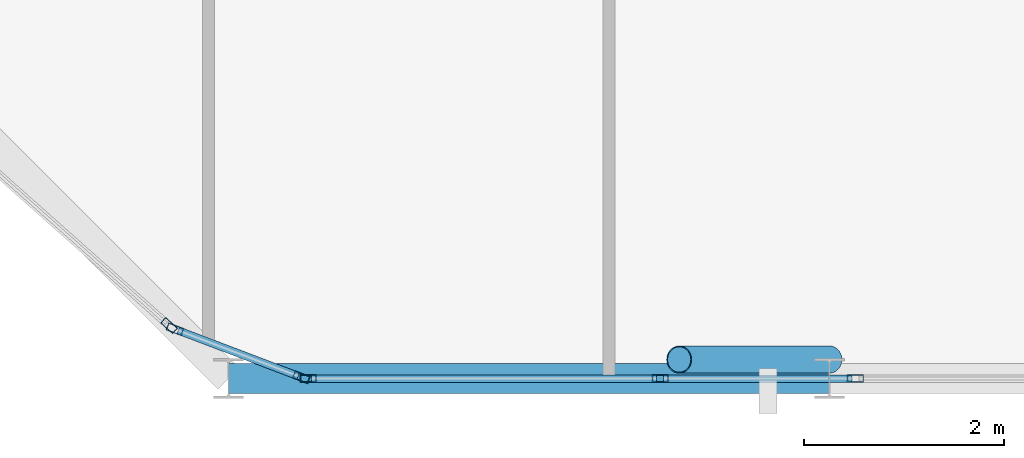
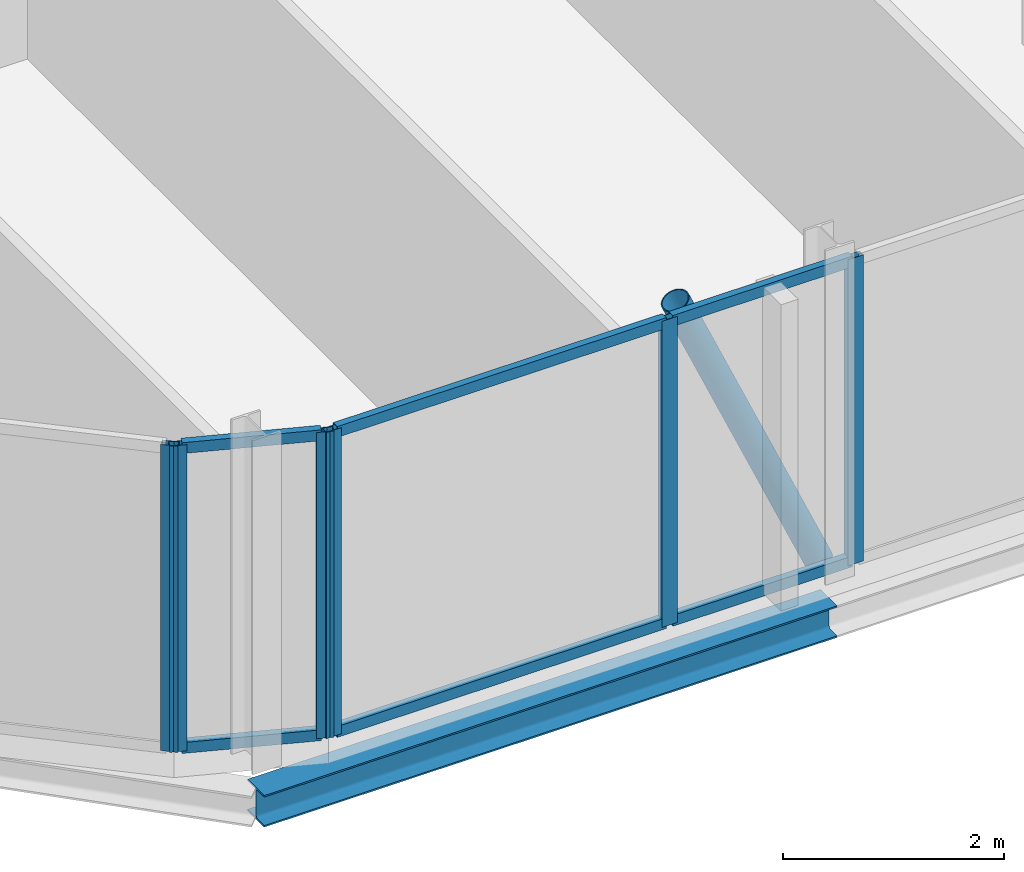
# One storey, part 6 of 27: 13 members, 1 beam, 5 elements without a shape of their own.
"""IFC4 building model written with IfcOpenShell, lengths in metres."""

import ifcopenshell
import ifcopenshell.guid

model = None  # the IFC model being written
_history = None  # IfcOwnerHistory: only IFC2X3 demands one
_inside = {}  # id of a spatial element -> (the spatial element, [elements in it])
_under = {}  # id of a project, library or spatial element -> (it, [spatial elements below it])
_declared = {}  # id of a project -> (the project, [libraries it declares])
_typed = {}  # id of a type object -> (the type object, [elements of that type])
_made_of = {}  # id of a material, layer set ... -> (it, [elements and type objects made of it])


def new_model(schema):
    """Start an empty IFC model of exactly this schema.

    Asked for "IFC4X3", IfcOpenShell would pick the latest addendum, in which some entities
    have other attributes; the version numbers below select the first issue.
    IFC2X3 requires an IfcOwnerHistory on every rooted entity: one is made here for all.
    """
    global model, _history
    if schema == "IFC4X3":
        model = ifcopenshell.file(schema_version=(4, 3, 0, 0))
    else:
        model = ifcopenshell.file(schema=schema)
    _inside.clear()
    _under.clear()
    _declared.clear()
    _typed.clear()
    _made_of.clear()
    _history = None
    if model.schema == "IFC2X3":
        org = make("IfcOrganization", Name="unknown")
        user = make(
            "IfcPersonAndOrganization",
            ThePerson=make("IfcPerson", FamilyName="unknown"),
            TheOrganization=org,
        )
        app = make(
            "IfcApplication",
            ApplicationDeveloper=org,
            Version="unknown",
            ApplicationFullName="unknown",
            ApplicationIdentifier="unknown",
        )
        _history = make(
            "IfcOwnerHistory",
            OwningUser=user,
            OwningApplication=app,
            ChangeAction="ADDED",
            CreationDate=0,
        )
    return model


def make(cls, **values):
    """One entity of the class cls with the attributes given. An attribute that is None is left unset."""
    return model.create_entity(
        cls, **{name: value for name, value in values.items() if value is not None}
    )


def rooted(cls, **values):
    """An entity with a GlobalId (a new one), such as an element, a storey or a relation."""
    return make(cls, GlobalId=ifcopenshell.guid.new(), OwnerHistory=_history, **values)


def si_unit(unit_type, name, prefix=None):
    """IfcSIUnit, for example si_unit("LENGTHUNIT", "METRE", prefix="MILLI")."""
    return make("IfcSIUnit", UnitType=unit_type, Prefix=prefix, Name=name)


def assignment(units):
    """IfcUnitAssignment: the units of a project."""
    return None if units is None else make("IfcUnitAssignment", Units=units)


def point(xyz):
    """IfcCartesianPoint."""
    return None if xyz is None else make("IfcCartesianPoint", Coordinates=xyz)


def direction(xyz):
    """IfcDirection."""
    return None if xyz is None else make("IfcDirection", DirectionRatios=xyz)


def frame(location, z_axis=None, x_axis=None):
    """IfcAxis2Placement3D, a coordinate frame: its origin and axes. An axis left out is left unset."""
    return make(
        "IfcAxis2Placement3D",
        Location=point(location),
        Axis=direction(z_axis),
        RefDirection=direction(x_axis),
    )


def frame_2d(location, x_axis=None):
    """IfcAxis2Placement2D, a coordinate frame in the plane: its origin and x axis."""
    return make(
        "IfcAxis2Placement2D", Location=point(location), RefDirection=direction(x_axis)
    )


def origin():
    """The frame at (0, 0, 0) with its axes left unset."""
    return frame((0.0, 0.0, 0.0))


def origin_2d():
    """The frame at (0, 0) in the plane with its x axis left unset."""
    return frame_2d((0.0, 0.0))


def place(relative_to, where):
    """IfcLocalPlacement: puts the frame where relative to a parent placement (None: the world)."""
    return make(
        "IfcLocalPlacement", PlacementRelTo=relative_to, RelativePlacement=where
    )


def context(
    kind, dimensions, precision=None, world=None, true_north=None, identifier=None
):
    """IfcGeometricRepresentationContext, for example the 3D "Model" context."""
    return make(
        "IfcGeometricRepresentationContext",
        ContextIdentifier=identifier,
        ContextType=kind,
        CoordinateSpaceDimension=dimensions,
        Precision=precision,
        WorldCoordinateSystem=world,
        TrueNorth=true_north,
    )


def subcontext(parent, identifier, kind, view, scale=None):
    """IfcGeometricRepresentationSubContext, for example "Body" below "Model"."""
    return make(
        "IfcGeometricRepresentationSubContext",
        ContextIdentifier=identifier,
        ContextType=kind,
        ParentContext=parent,
        TargetScale=scale,
        TargetView=view,
    )


def project(units=None, contexts=None):
    """IfcProject with its units and contexts."""
    return rooted(
        "IfcProject",
        Name="project",
        RepresentationContexts=contexts,
        UnitsInContext=assignment(units),
    )


def spatial(cls, under=None, at=None, **own):
    """A site, building, storey or space (cls), placed at a placement, below another one or the project."""
    s = rooted(cls, ObjectPlacement=at, **own)
    if under is not None:
        _under.setdefault(under.id(), (under, []))[1].append(s)
    return s


def profile(cls, at=None, kind="AREA", **sizes):
    """A parametric profile (cls). Its sizes go by their IFC names, for example OverallWidth=200.0."""
    return make(cls, ProfileType=kind, Position=at, **sizes)


def hollow_rectangle(**sizes):
    """IfcRectangleHollowProfileDef."""
    return profile("IfcRectangleHollowProfileDef", **sizes)


def hollow_circle(**sizes):
    """IfcCircleHollowProfileDef."""
    return profile("IfcCircleHollowProfileDef", **sizes)


def i_section(**sizes):
    """IfcIShapeProfileDef."""
    return profile("IfcIShapeProfileDef", **sizes)


def extrude(swept, where, along, depth):
    """IfcExtrudedAreaSolid: the profile swept, set in the frame where, extruded along a direction by depth."""
    return make(
        "IfcExtrudedAreaSolid",
        SweptArea=swept,
        Position=where,
        ExtrudedDirection=direction(along),
        Depth=depth,
    )


def shape(context_of_items, identifier, shape_type, items):
    """IfcShapeRepresentation: the items that make up one representation, for example the "Body"."""
    return make(
        "IfcShapeRepresentation",
        ContextOfItems=context_of_items,
        RepresentationIdentifier=identifier,
        RepresentationType=shape_type,
        Items=items,
    )


def material(Name=None, Category=None):
    """IfcMaterial."""
    return make("IfcMaterial", Name=Name, Category=Category)


def layer(
    of_material, thickness, ventilated=None, Name=None, Category=None, Priority=None
):
    """IfcMaterialLayer: one layer of a wall or slab, of a material (None: an air gap)."""
    return make(
        "IfcMaterialLayer",
        Material=of_material,
        LayerThickness=thickness,
        IsVentilated=ventilated,
        Name=Name,
        Category=Category,
        Priority=Priority,
    )


def layer_set(layers, Name=None):
    """IfcMaterialLayerSet."""
    return make("IfcMaterialLayerSet", MaterialLayers=layers, LayerSetName=Name)


def material_profile(
    of_material, cross_section, Name=None, Category=None, Priority=None
):
    """IfcMaterialProfile: a cross section and its material."""
    return make(
        "IfcMaterialProfile",
        Name=Name,
        Material=of_material,
        Profile=cross_section,
        Priority=Priority,
        Category=Category,
    )


def profile_set(profiles, Name=None, composite=None):
    """IfcMaterialProfileSet."""
    return make(
        "IfcMaterialProfileSet",
        Name=Name,
        MaterialProfiles=profiles,
        CompositeProfile=composite,
    )


def made_of(thing, what):
    """Note that an element or type object is made of a material, layer set ...; save() writes the relation."""
    if what is not None:
        _made_of.setdefault(what.id(), (what, []))[1].append(thing)
    return thing


def type_object(cls, material=None, **own):
    """A type object (cls), such as IfcWallType, which elements share."""
    return made_of(rooted(cls, **own), material)


def element(
    cls,
    number,
    at=None,
    inside=None,
    cuts=None,
    type_object=None,
    material=None,
    context=None,
    identifier="Body",
    shape_type=None,
    held_by="IfcProductDefinitionShape",
    body=None,
    shapes=None,
    **own,
):
    """One element of the class cls, such as IfcWall. Its Tag is "e" and its number.

    at: its placement. inside: the storey or other place that contains it. cuts: it is an
    opening in that element (IfcRelVoidsElement). A single representation is given by context,
    identifier, shape_type and body (its items); several are given by shapes. held_by: the class
    of the entity that holds the representations. save() writes the other relations.
    """
    e = rooted(cls, Tag="e%d" % number, ObjectPlacement=at, **own)
    if body is not None:
        shapes = [shape(context, identifier, shape_type, body)]
    if shapes is not None:
        e.Representation = make(held_by, Representations=shapes)
    if inside is not None:
        _inside.setdefault(inside.id(), (inside, []))[1].append(e)
    if cuts is not None:
        rooted(
            "IfcRelVoidsElement", RelatingBuildingElement=cuts, RelatedOpeningElement=e
        )
    if type_object is not None:
        _typed.setdefault(type_object.id(), (type_object, []))[1].append(e)
    return made_of(e, material)


def aggregate(whole, parts):
    """IfcRelAggregates: a whole, such as a stair, and the parts it consists of."""
    return rooted("IfcRelAggregates", RelatingObject=whole, RelatedObjects=parts)


def save(model, path):
    """Write the relations noted so far, then the file.

    IfcRelAggregates (storeys below a building ...), IfcRelContainedInSpatialStructure (elements
    in a storey), IfcRelDefinesByType, IfcRelAssociatesMaterial and IfcRelDeclares: one each for
    every whole, place, type object, material and project.
    """
    for whole, parts in _under.values():
        aggregate(whole, parts)
    for where, things in _inside.values():
        rooted(
            "IfcRelContainedInSpatialStructure",
            RelatedElements=things,
            RelatingStructure=where,
        )
    for kind, things in _typed.values():
        rooted("IfcRelDefinesByType", RelatedObjects=things, RelatingType=kind)
    for what, things in _made_of.values():
        rooted("IfcRelAssociatesMaterial", RelatedObjects=things, RelatingMaterial=what)
    for by, libraries in _declared.values():
        rooted("IfcRelDeclares", RelatingContext=by, RelatedDefinitions=libraries)
    model.write(path)


model = new_model("IFC4")

# Units and contexts
model_context = context("Model", 3, precision=1e-05, world=origin(), true_north=direction((0.0, 1.0)))
body_context = subcontext(model_context, "Body", "Model", "MODEL_VIEW")
ifc_project = project(units=[si_unit("LENGTHUNIT", "METRE"), si_unit("AREAUNIT", "SQUARE_METRE"), si_unit("VOLUMEUNIT", "CUBIC_METRE"), si_unit("PLANEANGLEUNIT", "RADIAN"), si_unit("MASSUNIT", "GRAM", prefix="KILO")], contexts=[model_context])

# Site, building, storey
site_placement = place(None, origin())
site = spatial("IfcSite", under=ifc_project, at=site_placement, CompositionType="ELEMENT")
building_placement = place(site_placement, origin())
building = spatial("IfcBuilding", under=site, at=building_placement, Name="Keshet Zoharim Tower", CompositionType="ELEMENT")
storey_placement = place(building_placement, frame((0.0, 0.0, 288.0)))
storey = spatial("IfcBuildingStorey", under=building, at=storey_placement, Name="L72", CompositionType="ELEMENT", Elevation=288.0)

# Beam
ifc_material_1 = material(Name="Steel S355", Category="steel")
ifc_material_profile_1 = material_profile(ifc_material_1, i_section(OverallWidth=0.300048828125, OverallDepth=0.35009765625, WebThickness=0.010009765625, FlangeThickness=0.017578125, FilletRadius=0.027099609375, at=origin_2d()), Name="HEA360")
ifc_profile_set_1 = profile_set([ifc_material_profile_1], Name="Steel S355")
beam_type = type_object("IfcBeamType", Name="BM-PRI-HA360", PredefinedType="BEAM", material=ifc_profile_set_1)
beam_placement = place(storey_placement, frame((21.0, 6.699951171875, -0.485107421875), z_axis=(1.0, 0.0, 0.0), x_axis=(0.0, 1.0, 0.0)))
element("IfcBeam", 1, at=beam_placement, inside=storey, type_object=beam_type, Name="L72 Primary Girder X-001", PredefinedType="BEAM", context=body_context, shape_type="SweptSolid", body=[
    extrude(i_section(OverallWidth=0.300048828125, OverallDepth=0.35009765625, WebThickness=0.010009765625, FlangeThickness=0.017578125, FilletRadius=0.027099609375, at=origin_2d()), origin(), (0.0, 0.0, 1.0), 6.0),
])

# Curtain wall, member
ifc_material_2 = material(Name="Aluminium 6063-T6", Category="aluminium")
ifc_layer = layer(ifc_material_2, 0.260009765625)
ifc_layer_set = layer_set([ifc_layer], Name="Aluminium 6063-T6")
curtain_wall_type = type_object("IfcCurtainWallType", Name="CW-SYS-06", PredefinedType="NOTDEFINED", material=ifc_layer_set)
curtain_wall_1_placement = place(storey_placement, origin())
curtain_wall_1 = element("IfcCurtainWall", 2, at=curtain_wall_1_placement, inside=storey, type_object=curtain_wall_type, Name="L72 Unitised Curtain Wall 14", PredefinedType="NOTDEFINED")
ifc_material_profile_2 = material_profile(ifc_material_2, hollow_rectangle(XDim=0.074951171875, YDim=0.159912109375, WallThickness=0.00390625, at=origin_2d()), Name="MUL-75x160")
ifc_profile_set_2 = profile_set([ifc_material_profile_2], Name="Aluminium 6063-T6")
member_type_1 = type_object("IfcMemberType", Name="CWM-M15", PredefinedType="MULLION", material=ifc_profile_set_2)
member_1_placement = place(storey_placement, frame((27.259765625, 6.699951171875, 0.0), z_axis=(0.0, 0.0, 1.0), x_axis=(0.0, -1.0, 0.0)))
member_1 = element("IfcMember", 3, at=member_1_placement, type_object=member_type_1, Name="CW-06 mullion 2", PredefinedType="MULLION", context=body_context, shape_type="SweptSolid", body=[
    extrude(hollow_rectangle(XDim=0.074951171875, YDim=0.159912109375, WallThickness=0.00390625, at=origin_2d()), origin(), (0.0, 0.0, 1.0), 3.389892578125),
])
aggregate(curtain_wall_1, [member_1])

curtain_wall_2_placement = place(storey_placement, origin())
curtain_wall_2 = element("IfcCurtainWall", 4, at=curtain_wall_2_placement, inside=storey, type_object=curtain_wall_type, Name="L72 Unitised Curtain Wall 14 Part 2", PredefinedType="NOTDEFINED")
member_2_placement = place(storey_placement, frame((25.310302734375, 6.699951171875, 0.0), z_axis=(0.0, 0.0, 1.0), x_axis=(0.0, -1.0, 0.0)))
member_2 = element("IfcMember", 5, at=member_2_placement, type_object=member_type_1, Name="CW-06 mullion 2", PredefinedType="MULLION", context=body_context, shape_type="SweptSolid", body=[
    extrude(hollow_rectangle(XDim=0.074951171875, YDim=0.159912109375, WallThickness=0.00390625, at=origin_2d()), origin(), (0.0, 0.0, 1.0), 3.389892578125),
])

curtain_wall_3_placement = place(storey_placement, origin())
curtain_wall_3 = element("IfcCurtainWall", 6, at=curtain_wall_3_placement, inside=storey, type_object=curtain_wall_type, Name="L72 Unitised Curtain Wall 14 Part 3", PredefinedType="NOTDEFINED")
member_3_placement = place(storey_placement, frame((21.794921875, 6.699951171875, 0.0), z_axis=(0.0, 0.0, 1.0), x_axis=(0.0, -1.0, 0.0)))
member_3 = element("IfcMember", 7, at=member_3_placement, type_object=member_type_1, Name="CW-06 mullion 2", PredefinedType="MULLION", context=body_context, shape_type="SweptSolid", body=[
    extrude(hollow_rectangle(XDim=0.074951171875, YDim=0.159912109375, WallThickness=0.00390625, at=origin_2d()), origin(), (0.0, 0.0, 1.0), 3.389892578125),
])

# Curtain wall, members
curtain_wall_4_placement = place(storey_placement, origin())
curtain_wall_4 = element("IfcCurtainWall", 8, at=curtain_wall_4_placement, inside=storey, type_object=curtain_wall_type, Name="L72 Unitised Curtain Wall 15", PredefinedType="NOTDEFINED")
member_4_placement = place(storey_placement, frame((21.727294921875, 6.71240234375, 0.0), z_axis=(0.0, 0.0, 1.0), x_axis=(-0.355439161326, -0.934699418314, 0.0)))
member_4 = element("IfcMember", 9, at=member_4_placement, type_object=member_type_1, Name="CW-06 mullion 1", PredefinedType="MULLION", context=body_context, shape_type="SweptSolid", body=[
    extrude(hollow_rectangle(XDim=0.074951171875, YDim=0.159912109375, WallThickness=0.00390625, at=origin_2d()), origin(), (0.0, 0.0, 1.0), 3.389892578125),
])
member_5_placement = place(storey_placement, frame((20.464599609375, 7.192626953125, 0.0), z_axis=(0.0, 0.0, 1.0), x_axis=(-0.355439161326, -0.934699418314, 0.0)))
member_5 = element("IfcMember", 10, at=member_5_placement, type_object=member_type_1, Name="CW-06 mullion 2", PredefinedType="MULLION", context=body_context, shape_type="SweptSolid", body=[
    extrude(hollow_rectangle(XDim=0.074951171875, YDim=0.159912109375, WallThickness=0.00390625, at=origin_2d()), origin(), (0.0, 0.0, 1.0), 3.389892578125),
])

# Curtain wall, member
curtain_wall_5_placement = place(storey_placement, origin())
curtain_wall_5 = element("IfcCurtainWall", 11, at=curtain_wall_5_placement, inside=storey, type_object=curtain_wall_type, Name="L72 Unitised Curtain Wall 16", PredefinedType="NOTDEFINED")
member_6_placement = place(storey_placement, frame((20.40576171875, 7.228271484375, 0.0), z_axis=(0.0, 0.0, 1.0), x_axis=(-0.664362180559, -0.747410792699, 0.0)))
member_6 = element("IfcMember", 12, at=member_6_placement, type_object=member_type_1, Name="CW-06 mullion 1", PredefinedType="MULLION", context=body_context, shape_type="SweptSolid", body=[
    extrude(hollow_rectangle(XDim=0.074951171875, YDim=0.159912109375, WallThickness=0.00390625, at=origin_2d()), origin(), (0.0, 0.0, 1.0), 3.389892578125),
])
aggregate(curtain_wall_5, [member_6])

# Member
ifc_material_profile_3 = material_profile(ifc_material_2, hollow_rectangle(XDim=0.074951171875, YDim=0.1201171875, WallThickness=0.00390625, at=origin_2d()), Name="TRN-75x120")
ifc_profile_set_3 = profile_set([ifc_material_profile_3], Name="Aluminium 6063-T6")
member_type_2 = type_object("IfcMemberType", Name="CWT-T12", PredefinedType="USERDEFINED", material=ifc_profile_set_3)
member_7_placement = place(storey_placement, frame((27.224853515625, 6.699951171875, 0.034912109375), z_axis=(-1.0, 0.0, 0.0), x_axis=(0.0, -1.0, 0.0)))
member_7 = element("IfcMember", 13, at=member_7_placement, type_object=member_type_2, Name="CW-06 transom 1.1", ObjectType="TRANSOM", PredefinedType="USERDEFINED", context=body_context, shape_type="SweptSolid", body=[
    extrude(hollow_rectangle(XDim=0.074951171875, YDim=0.1201171875, WallThickness=0.00390625, at=origin_2d()), origin(), (0.0, 0.0, 1.0), 1.879638671875),
])

member_8_placement = place(storey_placement, frame((27.224853515625, 6.699951171875, 3.35498046875), z_axis=(-1.0, 0.0, 0.0), x_axis=(0.0, -1.0, 0.0)))
member_8 = element("IfcMember", 14, at=member_8_placement, type_object=member_type_2, Name="CW-06 transom 1.2", ObjectType="TRANSOM", PredefinedType="USERDEFINED", context=body_context, shape_type="SweptSolid", body=[
    extrude(hollow_rectangle(XDim=0.074951171875, YDim=0.1201171875, WallThickness=0.00390625, at=origin_2d()), origin(), (0.0, 0.0, 1.0), 1.879638671875),
])

aggregate(curtain_wall_2, [member_2, member_7, member_8])

member_9_placement = place(storey_placement, frame((25.275146484375, 6.699951171875, 0.034912109375), z_axis=(-1.0, 0.0, 0.0), x_axis=(0.0, -1.0, 0.0)))
member_9 = element("IfcMember", 15, at=member_9_placement, type_object=member_type_2, Name="CW-06 transom 1.1", ObjectType="TRANSOM", PredefinedType="USERDEFINED", context=body_context, shape_type="SweptSolid", body=[
    extrude(hollow_rectangle(XDim=0.074951171875, YDim=0.1201171875, WallThickness=0.00390625, at=origin_2d()), origin(), (0.0, 0.0, 1.0), 3.445068359375),
])

member_10_placement = place(storey_placement, frame((25.275146484375, 6.699951171875, 3.35498046875), z_axis=(-1.0, 0.0, 0.0), x_axis=(0.0, -1.0, 0.0)))
member_10 = element("IfcMember", 16, at=member_10_placement, type_object=member_type_2, Name="CW-06 transom 1.2", ObjectType="TRANSOM", PredefinedType="USERDEFINED", context=body_context, shape_type="SweptSolid", body=[
    extrude(hollow_rectangle(XDim=0.074951171875, YDim=0.1201171875, WallThickness=0.00390625, at=origin_2d()), origin(), (0.0, 0.0, 1.0), 3.445068359375),
])

aggregate(curtain_wall_3, [member_3, member_9, member_10])

member_11_placement = place(storey_placement, frame((21.694580078125, 6.724853515625, 0.034912109375), z_axis=(-0.934689881536, 0.355464239206, 0.0), x_axis=(-0.355464239206, -0.934689881536, 0.0)))
member_11 = element("IfcMember", 17, at=member_11_placement, type_object=member_type_2, Name="CW-06 transom 1.1", ObjectType="TRANSOM", PredefinedType="USERDEFINED", context=body_context, shape_type="SweptSolid", body=[
    extrude(hollow_rectangle(XDim=0.074951171875, YDim=0.1201171875, WallThickness=0.00390625, at=origin_2d()), origin(), (0.0, 0.0, 1.0), 1.281005859375),
])

member_12_placement = place(storey_placement, frame((21.694580078125, 6.724853515625, 3.35498046875), z_axis=(-0.934689881536, 0.355464239206, 0.0), x_axis=(-0.355464239206, -0.934689881536, 0.0)))
member_12 = element("IfcMember", 18, at=member_12_placement, type_object=member_type_2, Name="CW-06 transom 1.2", ObjectType="TRANSOM", PredefinedType="USERDEFINED", context=body_context, shape_type="SweptSolid", body=[
    extrude(hollow_rectangle(XDim=0.074951171875, YDim=0.1201171875, WallThickness=0.00390625, at=origin_2d()), origin(), (0.0, 0.0, 1.0), 1.281005859375),
])

aggregate(curtain_wall_4, [member_4, member_5, member_11, member_12])

ifc_material_profile_4 = material_profile(ifc_material_1, hollow_circle(Radius=0.136474609375, WallThickness=0.010009765625, at=origin_2d()), Name="CHS273x10")
ifc_profile_set_4 = profile_set([ifc_material_profile_4], Name="Steel S355")
member_type_3 = type_object("IfcMemberType", Name="MB-BR-C273", PredefinedType="BRACE", material=ifc_profile_set_4)
member_13_placement = place(storey_placement, frame((27.0, 6.889892578125, 0.0), z_axis=(-0.40464689807, 0.0, 0.914473011019), x_axis=(0.0, -1.0, 0.0)))
element("IfcMember", 19, at=member_13_placement, inside=storey, type_object=member_type_3, Name="L72 Perimeter Tube Brace 02", PredefinedType="BRACE", context=body_context, shape_type="SweptSolid", body=[
    extrude(hollow_circle(Radius=0.136474609375, WallThickness=0.010009765625, at=origin_2d()), origin(), (0.0, 0.0, 1.0), 3.70703125),
])

save(model, "model.ifc")
